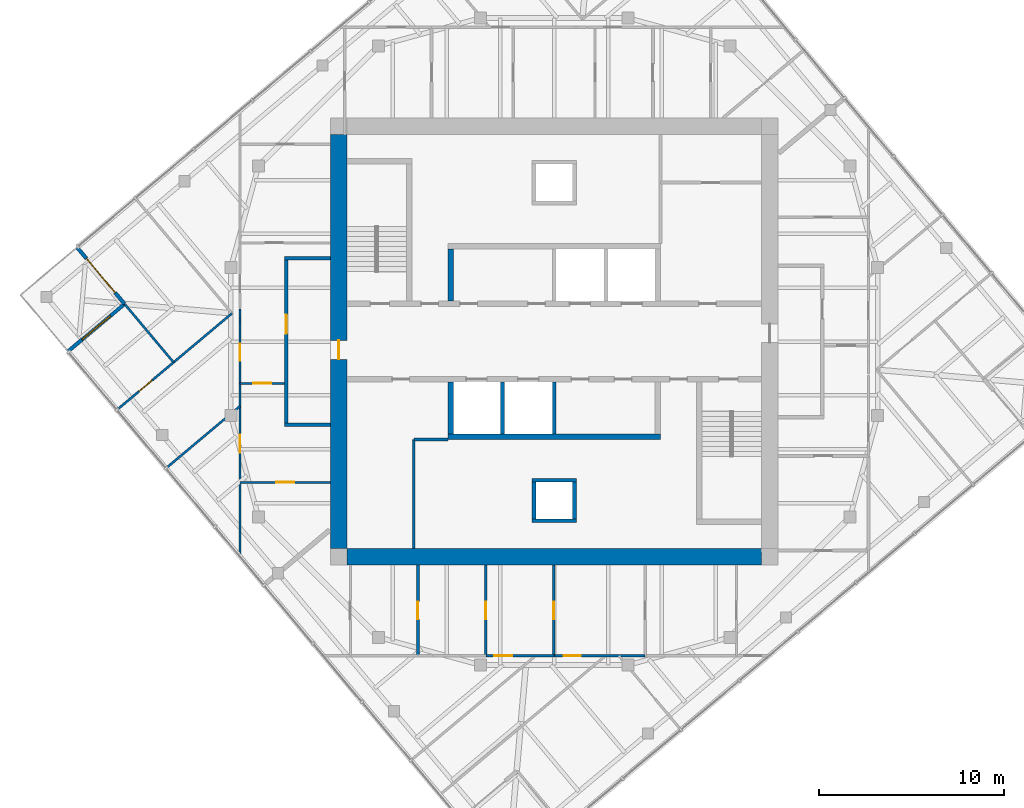
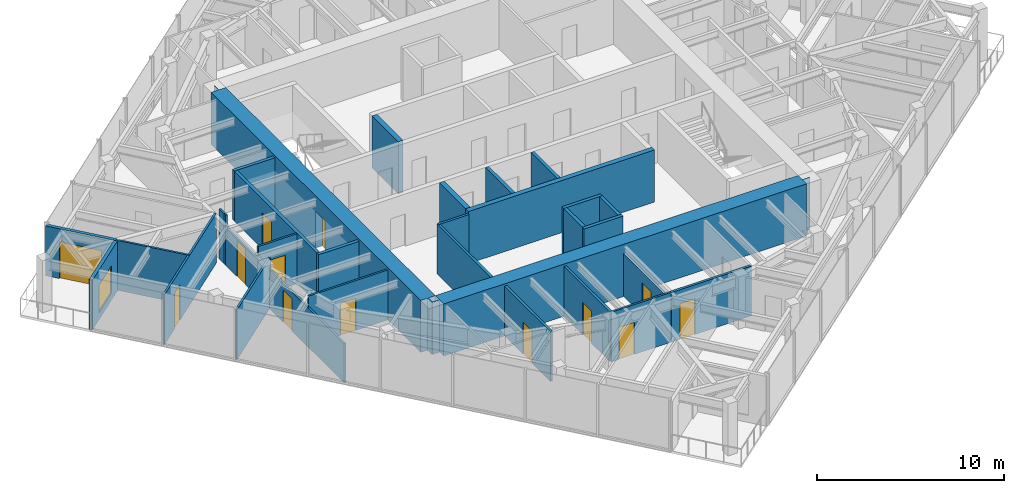
# One storey, part 7 of 11: 31 walls, 13 doors, 1 window, 14 openings.
"""IFC4 building model written with IfcOpenShell, lengths in metres."""

from ifc_helpers import new_model, si_unit, direction, frame, frame_2d, origin, place, context, subcontext, project, spatial, polyline, rectangle, outline, extrude, material, layer, layer_set, type_object, element, fill, save


model = new_model("IFC4")

# Units and contexts
model_context = context("Model", 3, precision=1e-05, world=origin(), true_north=direction((0.0, 1.0)))
body_context = subcontext(model_context, "Body", "Model", "MODEL_VIEW")
ifc_project = project(units=[si_unit("LENGTHUNIT", "METRE"), si_unit("AREAUNIT", "SQUARE_METRE"), si_unit("VOLUMEUNIT", "CUBIC_METRE"), si_unit("PLANEANGLEUNIT", "RADIAN"), si_unit("MASSUNIT", "GRAM", prefix="KILO")], contexts=[model_context])

# Site, building, storey
site_placement = place(None, origin())
site = spatial("IfcSite", under=ifc_project, at=site_placement, CompositionType="ELEMENT")
building_placement = place(site_placement, origin())
building = spatial("IfcBuilding", under=site, at=building_placement, Name="Torsade Residences", CompositionType="ELEMENT")
storey_placement = place(building_placement, frame((0.0, 0.0, 276.0)))
storey = spatial("IfcBuildingStorey", under=building, at=storey_placement, Name="L76", CompositionType="ELEMENT", Elevation=276.0)

# Walls
ifc_material_1 = material(Name="Concrete 80 MPa", Category="concrete")
ifc_layer_1 = layer(ifc_material_1, 0.300048828125)
ifc_layer_set_1 = layer_set([ifc_layer_1], Name="Concrete 80 MPa")
wall_type_1 = type_object("IfcWallType", Name="CORE INTERNAL WALL 300", PredefinedType="SHEAR", material=ifc_layer_set_1)
wall_1_placement = place(storey_placement, frame((45.75, 24.85009765625, 0.0), z_axis=(0.0, 0.0, 1.0), x_axis=(-1.0, 0.0, 0.0)))
element("IfcWall", 1, at=wall_1_placement, inside=storey, type_object=wall_type_1, Name="Core wall BS L76", PredefinedType="SHEAR", context=body_context, shape_type="SweptSolid", body=[
    extrude(rectangle(XDim=11.5, YDim=0.300048828125, at=frame_2d((5.75, 0.0))), origin(), (0.0, 0.0, 1.0), 3.39990234375),
])
for number, where, z_axis, x_axis, name in (
    (2, (34.39990234375, 32.199951171875, 0.0), (0.0, 0.0, 1.0), (0.0, 1.0, 0.0), "Core wall DN0 L76"),
    (3, (34.39990234375, 27.800048828125, 0.0), (0.0, 0.0, 1.0), (0.0, -1.0, 0.0), "Core wall DS4 L76"),
):
    element("IfcWall", number, at=place(storey_placement, frame(where, z_axis=z_axis, x_axis=x_axis)), inside=storey, type_object=wall_type_1, Name=name, PredefinedType="SHEAR", context=body_context, shape_type="SweptSolid", body=[
        extrude(rectangle(XDim=2.800048828125, YDim=0.300048828125, at=frame_2d((1.39990234375, 0.0))), origin(), (0.0, 0.0, 1.0), 3.39990234375),
    ])
ifc_material_2 = material(Name="Concrete 80 MPa", Category="concrete")
ifc_layer_2 = layer(ifc_material_2, 0.89990234375)
ifc_layer_set_2 = layer_set([ifc_layer_2], Name="Concrete 80 MPa")
wall_type_2 = type_object("IfcWallType", Name="CORE WALL 900", PredefinedType="SHEAR", material=ifc_layer_set_2)
wall_2_placement = place(storey_placement, frame((51.199951171875, 18.35009765625, 0.0), z_axis=(0.0, 0.0, 1.0), x_axis=(-1.0, 0.0, 0.0)))
element("IfcWall", 4, at=wall_2_placement, inside=storey, type_object=wall_type_2, Name="Core wall S L76", PredefinedType="SHEAR", context=body_context, shape_type="SweptSolid", body=[
    extrude(outline(polyline([(0.0, -0.449951171875), (22.39990234375, -0.449951171875), (22.39990234375, -0.02490234375), (22.849853515625, -0.02490234375), (22.849853515625, 0.02490234375), (22.39990234375, 0.02490234375), (22.39990234375, 0.449951171875), (0.0, 0.449951171875), (0.0, 0.02490234375), (-0.449951171875, 0.02490234375), (-0.449951171875, -0.02490234375), (0.0, -0.02490234375), (0.0, -0.449951171875)])), origin(), (0.0, 0.0, 1.0), 3.39990234375),
])

# Wall, opening, door
wall_3_placement = place(storey_placement, frame((28.35009765625, 41.199951171875, 0.0), z_axis=(0.0, 0.0, 1.0), x_axis=(0.0, -1.0, 0.0)))
wall_3 = element("IfcWall", 5, at=wall_3_placement, inside=storey, type_object=wall_type_2, Name="Core wall W L76", PredefinedType="SHEAR", context=body_context, shape_type="SweptSolid", body=[
    extrude(outline(polyline([(0.0, -0.449951171875), (22.39990234375, -0.449951171875), (22.39990234375, -0.02490234375), (22.849853515625, -0.02490234375), (22.849853515625, 0.02490234375), (22.39990234375, 0.02490234375), (22.39990234375, 0.449951171875), (0.0, 0.449951171875), (0.0, 0.02490234375), (-0.449951171875, 0.02490234375), (-0.449951171875, -0.02490234375), (0.0, -0.02490234375), (0.0, -0.449951171875)])), origin(), (0.0, 0.0, 1.0), 3.39990234375),
])
opening_1_placement = place(wall_3_placement, frame((11.139892578125, 0.0, 0.0)))
opening_1 = element("IfcOpeningElement", 6, at=opening_1_placement, cuts=wall_3, Name="Opening D04", PredefinedType="OPENING", context=body_context, shape_type="SweptSolid", body=[
    extrude(rectangle(XDim=1.02001953125, YDim=2.39990234375, at=frame_2d((0.510009765625, 1.199951171875))), frame((0.0, 0.4599609375, 0.0), z_axis=(0.0, -1.0, 0.0), x_axis=(1.0, 0.0, 0.0)), (0.0, 0.0, 1.0), 0.919921875),
])
ifc_material_3 = material(Name="Steel-framed fire door", Category="steel")
door_type_1 = type_object("IfcDoorType", Name="LOBBY SMOKE DOOR 1020x2400", OperationType="NOTDEFINED", PredefinedType="DOOR", material=ifc_material_3)
door_1_placement = place(opening_1_placement, origin())
door_1 = element("IfcDoor", 7, at=door_1_placement, inside=storey, type_object=door_type_1, Name="Lift lobby door W L76", OperationType="SINGLE_SWING_RIGHT", OverallHeight=2.39990234375, OverallWidth=1.02001953125, PredefinedType="DOOR", context=body_context, shape_type="SweptSolid", body=[
    extrude(rectangle(XDim=1.02001953125, YDim=2.39990234375, at=frame_2d((0.510009765625, 1.199951171875))), frame((0.0, 0.02490234375, 0.0), z_axis=(0.0, -1.0, 0.0), x_axis=(1.0, 0.0, 0.0)), (0.0, 0.0, 1.0), 0.050048828125),
])
fill(opening_1, door_1)

ifc_material_4 = material(Name="Plasterboard on steel stud", Category="steel")
ifc_layer_3 = layer(ifc_material_4, 0.199951171875)
ifc_layer_set_3 = layer_set([ifc_layer_3], Name="Plasterboard on steel stud")
wall_type_3 = type_object("IfcWallType", Name="CORRIDOR WALL 200", PredefinedType="PARTITIONING", material=ifc_layer_set_3)
wall_4_placement = place(storey_placement, frame((25.5, 25.5, 0.0), z_axis=(0.0, 0.0, 1.0), x_axis=(0.0, 1.0, 0.0)))
wall_4 = element("IfcWall", 8, at=wall_4_placement, inside=storey, type_object=wall_type_3, Name="Corridor wall L76", PredefinedType="PARTITIONING", context=body_context, shape_type="SweptSolid", body=[
    extrude(rectangle(XDim=9.0, YDim=0.199951171875, at=frame_2d((4.5, 0.0))), origin(), (0.0, 0.0, 1.0), 3.25),
])
opening_2_placement = place(wall_4_placement, frame((4.932861328125, 0.0, 0.0)))
opening_2 = element("IfcOpeningElement", 9, at=opening_2_placement, cuts=wall_4, Name="Opening D01", PredefinedType="OPENING", context=body_context, shape_type="SweptSolid", body=[
    extrude(rectangle(XDim=1.02001953125, YDim=2.340087890625, at=frame_2d((0.510009765625, 1.169921875))), frame((0.0, 0.10986328125, 0.0), z_axis=(0.0, -1.0, 0.0), x_axis=(1.0, 0.0, 0.0)), (0.0, 0.0, 1.0), 0.219970703125),
])
ifc_material_5 = material(Name="Solid-core timber fire door", Category="wood")
door_type_2 = type_object("IfcDoorType", Name="APARTMENT ENTRY DOOR 1020x2340", OperationType="NOTDEFINED", PredefinedType="DOOR", material=ifc_material_5)
door_2_placement = place(opening_2_placement, origin())
door_2 = element("IfcDoor", 10, at=door_2_placement, inside=storey, type_object=door_type_2, Name="Door Residential corridor to Kitchen and dining", OperationType="SINGLE_SWING_LEFT", OverallHeight=2.340087890625, OverallWidth=1.02001953125, PredefinedType="DOOR", context=body_context, shape_type="SweptSolid", body=[
    extrude(rectangle(XDim=1.02001953125, YDim=2.340087890625, at=frame_2d((0.510009765625, 1.169921875))), frame((0.0, 0.02490234375, 0.0), z_axis=(0.0, -1.0, 0.0), x_axis=(1.0, 0.0, 0.0)), (0.0, 0.0, 1.0), 0.050048828125),
])
fill(opening_2, door_2)

# Walls
for number, where, z_axis, x_axis, name in (
    (11, (27.89990234375, 34.5, 0.0), (0.0, 0.0, 1.0), (-1.0, 0.0, 0.0), "Corridor wall L76"),
    (12, (27.89990234375, 25.5, 0.0), (0.0, 0.0, 1.0), (-1.0, 0.0, 0.0), "Corridor wall L76"),
):
    element("IfcWall", number, at=place(storey_placement, frame(where, z_axis=z_axis, x_axis=x_axis)), inside=storey, type_object=wall_type_3, Name=name, PredefinedType="PARTITIONING", context=body_context, shape_type="SweptSolid", body=[
        extrude(rectangle(XDim=2.5, YDim=0.199951171875, at=frame_2d((1.25, 0.0))), origin(), (0.0, 0.0, 1.0), 3.25),
    ])
ifc_material_6 = material(Name="Reinforced blockwork", Category="masonry")
ifc_layer_4 = layer(ifc_material_6, 0.199951171875)
ifc_layer_set_4 = layer_set([ifc_layer_4], Name="Reinforced blockwork")
wall_type_4 = type_object("IfcWallType", Name="LIFT SHAFT DIVIDING WALL 200", PredefinedType="SOLIDWALL", material=ifc_layer_set_4)
for number, where, z_axis, x_axis, name in (
    (13, (40.0, 27.800048828125, 0.0), (0.0, 0.0, 1.0), (0.0, -1.0, 0.0), "Core wall DS2 L76"),
    (14, (37.199951171875, 27.800048828125, 0.0), (0.0, 0.0, 1.0), (0.0, -1.0, 0.0), "Core wall DS3 L76"),
):
    element("IfcWall", number, at=place(storey_placement, frame(where, z_axis=z_axis, x_axis=x_axis)), inside=storey, type_object=wall_type_4, Name=name, PredefinedType="SOLIDWALL", context=body_context, shape_type="SweptSolid", body=[
        extrude(rectangle(XDim=2.800048828125, YDim=0.199951171875, at=frame_2d((1.39990234375, 0.0))), origin(), (0.0, 0.0, 1.0), 3.39990234375),
    ])

# Wall, opening, door
ifc_material_7 = material(Name="Plasterboard on steel stud", Category="steel")
ifc_layer_5 = layer(ifc_material_7, 0.1201171875)
ifc_layer_set_5 = layer_set([ifc_layer_5], Name="Plasterboard on steel stud")
wall_type_5 = type_object("IfcWallType", Name="PARTITION 120", PredefinedType="PARTITIONING", material=ifc_layer_set_5)
wall_5_placement = place(storey_placement, frame((39.976318359375, 13.0, 0.0), z_axis=(0.0, 0.0, 1.0), x_axis=(-1.0, 0.0, 0.0)))
wall_5 = element("IfcWall", 15, at=wall_5_placement, inside=storey, type_object=wall_type_5, Name="Partition L76", PredefinedType="PARTITIONING", context=body_context, shape_type="SweptSolid", body=[
    extrude(rectangle(XDim=3.67578125, YDim=0.1201171875, at=frame_2d((1.837890625, 0.0))), origin(), (0.0, 0.0, 1.0), 3.25),
])
opening_3_placement = place(wall_5_placement, frame((2.2607421875, 0.0, 0.0)))
opening_3 = element("IfcOpeningElement", 16, at=opening_3_placement, cuts=wall_5, Name="Opening D05", PredefinedType="OPENING", context=body_context, shape_type="SweptSolid", body=[
    extrude(rectangle(XDim=0.9599609375, YDim=2.10009765625, at=frame_2d((0.47998046875, 1.050048828125))), frame((0.0, 0.070068359375, 0.0), z_axis=(0.0, -1.0, 0.0), x_axis=(1.0, 0.0, 0.0)), (0.0, 0.0, 1.0), 0.14013671875),
])
ifc_material_8 = material(Name="Hollow-core timber door in a steel cavity frame", Category="steel")
door_type_3 = type_object("IfcDoorType", Name="BATHROOM CAVITY SLIDING DOOR 960", OperationType="SLIDING_TO_LEFT", PredefinedType="DOOR", material=ifc_material_8)
door_3_placement = place(opening_3_placement, origin())
door_3 = element("IfcDoor", 17, at=door_3_placement, inside=storey, type_object=door_type_3, Name="Door WC to Bedroom 2", OperationType="SLIDING_TO_LEFT", OverallHeight=2.10009765625, OverallWidth=0.9599609375, PredefinedType="DOOR", context=body_context, shape_type="SweptSolid", body=[
    extrude(rectangle(XDim=0.9599609375, YDim=2.10009765625, at=frame_2d((0.47998046875, 1.050048828125))), frame((0.0, 0.02490234375, 0.0), z_axis=(0.0, -1.0, 0.0), x_axis=(1.0, 0.0, 0.0)), (0.0, 0.0, 1.0), 0.050048828125),
])
fill(opening_3, door_3)

wall_6_placement = place(storey_placement, frame((25.39990234375, 27.735595703125, 0.0), z_axis=(0.0, 0.0, 1.0), x_axis=(-1.0, 0.0, 0.0)))
wall_6 = element("IfcWall", 18, at=wall_6_placement, inside=storey, type_object=wall_type_5, Name="Partition L76", PredefinedType="PARTITIONING", context=body_context, shape_type="SweptSolid", body=[
    extrude(rectangle(XDim=2.39990234375, YDim=0.1201171875, at=frame_2d((1.199951171875, 0.0))), origin(), (0.0, 0.0, 1.0), 3.25),
])
opening_4_placement = place(wall_6_placement, frame((0.719970703125, 0.0, 0.0)))
opening_4 = element("IfcOpeningElement", 19, at=opening_4_placement, cuts=wall_6, Name="Opening D05", PredefinedType="OPENING", context=body_context, shape_type="SweptSolid", body=[
    extrude(rectangle(XDim=0.9599609375, YDim=2.10009765625, at=frame_2d((0.47998046875, 1.050048828125))), frame((0.0, 0.070068359375, 0.0), z_axis=(0.0, -1.0, 0.0), x_axis=(1.0, 0.0, 0.0)), (0.0, 0.0, 1.0), 0.14013671875),
])
door_4_placement = place(opening_4_placement, origin())
door_4 = element("IfcDoor", 20, at=door_4_placement, inside=storey, type_object=door_type_3, Name="Door Kitchen and dining to Bathroom", OperationType="SLIDING_TO_LEFT", OverallHeight=2.10009765625, OverallWidth=0.9599609375, PredefinedType="DOOR", context=body_context, shape_type="SweptSolid", body=[
    extrude(rectangle(XDim=0.9599609375, YDim=2.10009765625, at=frame_2d((0.47998046875, 1.050048828125))), frame((0.0, 0.02490234375, 0.0), z_axis=(0.0, -1.0, 0.0), x_axis=(1.0, 0.0, 0.0)), (0.0, 0.0, 1.0), 0.050048828125),
])
fill(opening_4, door_4)

# Wall
wall_7_placement = place(storey_placement, frame((23.0, 31.257568359375, 0.0), z_axis=(0.0, 0.0, 1.0), x_axis=(0.0, 1.0, 0.0)))
element("IfcWall", 21, at=wall_7_placement, inside=storey, type_object=wall_type_5, Name="Partition L76", PredefinedType="PARTITIONING", context=body_context, shape_type="SweptSolid", body=[
    extrude(rectangle(XDim=0.503662109375, YDim=0.1201171875, at=frame_2d((0.251953125, 0.0))), origin(), (0.0, 0.0, 1.0), 3.25),
])

# Wall, openings, doors
wall_8_placement = place(storey_placement, frame((23.0, 18.4296875, 0.0), z_axis=(0.0, 0.0, 1.0), x_axis=(0.0, 1.0, 0.0)))
wall_8 = element("IfcWall", 22, at=wall_8_placement, inside=storey, type_object=wall_type_5, Name="Partition L76", PredefinedType="PARTITIONING", context=body_context, shape_type="SweptSolid", body=[
    extrude(rectangle(XDim=12.65576171875, YDim=0.1201171875, at=frame_2d((6.327880859375, 0.0))), origin(), (0.0, 0.0, 1.0), 2.549072265625),
])
opening_5_placement = place(wall_8_placement, frame((10.520751953125, 0.0, 0.0)))
opening_5 = element("IfcOpeningElement", 23, at=opening_5_placement, cuts=wall_8, Name="Opening D02", PredefinedType="OPENING", context=body_context, shape_type="SweptSolid", body=[
    extrude(rectangle(XDim=0.919921875, YDim=2.340087890625, at=frame_2d((0.4599609375, 1.169921875))), frame((0.0, 0.070068359375, 0.0), z_axis=(0.0, -1.0, 0.0), x_axis=(1.0, 0.0, 0.0)), (0.0, 0.0, 1.0), 0.14013671875),
])
opening_6_placement = place(wall_8_placement, frame((5.5654296875, 0.0, 0.0)))
opening_6 = element("IfcOpeningElement", 24, at=opening_6_placement, cuts=wall_8, Name="Opening D05", PredefinedType="OPENING", context=body_context, shape_type="SweptSolid", body=[
    extrude(rectangle(XDim=0.9599609375, YDim=2.10009765625, at=frame_2d((0.47998046875, 1.050048828125))), frame((0.0, 0.070068359375, 0.0), z_axis=(0.0, -1.0, 0.0), x_axis=(1.0, 0.0, 0.0)), (0.0, 0.0, 1.0), 0.14013671875),
])
door_5_placement = place(opening_6_placement, origin())
door_5 = element("IfcDoor", 25, at=door_5_placement, inside=storey, type_object=door_type_3, Name="Door Bathroom to Media room", OperationType="SLIDING_TO_LEFT", OverallHeight=2.10009765625, OverallWidth=0.9599609375, PredefinedType="DOOR", context=body_context, shape_type="SweptSolid", body=[
    extrude(rectangle(XDim=0.9599609375, YDim=2.10009765625, at=frame_2d((0.47998046875, 1.050048828125))), frame((0.0, 0.02490234375, 0.0), z_axis=(0.0, -1.0, 0.0), x_axis=(1.0, 0.0, 0.0)), (0.0, 0.0, 1.0), 0.050048828125),
])
fill(opening_6, door_5)
ifc_material_9 = material(Name="Hollow-core timber door", Category="wood")
door_type_4 = type_object("IfcDoorType", Name="INTERNAL DOOR 920x2340", OperationType="NOTDEFINED", PredefinedType="DOOR", material=ifc_material_9)
door_6_placement = place(opening_5_placement, origin())
door_6 = element("IfcDoor", 26, at=door_6_placement, inside=storey, type_object=door_type_4, Name="Door Kitchen and dining to Bedroom 5", OperationType="SINGLE_SWING_LEFT", OverallHeight=2.340087890625, OverallWidth=0.919921875, PredefinedType="DOOR", context=body_context, shape_type="SweptSolid", body=[
    extrude(rectangle(XDim=0.919921875, YDim=2.340087890625, at=frame_2d((0.4599609375, 1.169921875))), frame((0.0, 0.02490234375, 0.0), z_axis=(0.0, -1.0, 0.0), x_axis=(1.0, 0.0, 0.0)), (0.0, 0.0, 1.0), 0.050048828125),
])
fill(opening_5, door_6)

# Wall, opening, door
wall_9_placement = place(storey_placement, frame((27.89990234375, 22.3798828125, 0.0), z_axis=(0.0, 0.0, 1.0), x_axis=(-1.0, 0.0, 0.0)))
wall_9 = element("IfcWall", 27, at=wall_9_placement, inside=storey, type_object=wall_type_5, Name="Partition L76", PredefinedType="PARTITIONING", context=body_context, shape_type="SweptSolid", body=[
    extrude(rectangle(XDim=4.89990234375, YDim=0.1201171875, at=frame_2d((2.449951171875, 0.0))), origin(), (0.0, 0.0, 1.0), 3.25),
])
opening_7_placement = place(wall_9_placement, frame((1.969970703125, 0.0, 0.0)))
opening_7 = element("IfcOpeningElement", 28, at=opening_7_placement, cuts=wall_9, Name="Opening D05", PredefinedType="OPENING", context=body_context, shape_type="SweptSolid", body=[
    extrude(rectangle(XDim=0.9599609375, YDim=2.10009765625, at=frame_2d((0.47998046875, 1.050048828125))), frame((0.0, 0.070068359375, 0.0), z_axis=(0.0, -1.0, 0.0), x_axis=(1.0, 0.0, 0.0)), (0.0, 0.0, 1.0), 0.14013671875),
])
door_7_placement = place(opening_7_placement, origin())
door_7 = element("IfcDoor", 29, at=door_7_placement, inside=storey, type_object=door_type_3, Name="Door Bathroom to Dressing room", OperationType="SLIDING_TO_LEFT", OverallHeight=2.10009765625, OverallWidth=0.9599609375, PredefinedType="DOOR", context=body_context, shape_type="SweptSolid", body=[
    extrude(rectangle(XDim=0.9599609375, YDim=2.10009765625, at=frame_2d((0.47998046875, 1.050048828125))), frame((0.0, 0.02490234375, 0.0), z_axis=(0.0, -1.0, 0.0), x_axis=(1.0, 0.0, 0.0)), (0.0, 0.0, 1.0), 0.050048828125),
])
fill(opening_7, door_7)

wall_10_placement = place(storey_placement, frame((22.565673828125, 31.525390625, 0.0), z_axis=(0.0, 0.0, 1.0), x_axis=(-0.766033729027, -0.642800378028, 0.0)))
wall_10 = element("IfcWall", 30, at=wall_10_placement, inside=storey, type_object=wall_type_5, Name="Partition L76", PredefinedType="PARTITIONING", context=body_context, shape_type="SweptSolid", body=[
    extrude(rectangle(XDim=8.0849609375, YDim=0.1201171875, at=frame_2d((4.04248046875, 0.0))), origin(), (0.0, 0.0, 1.0), 3.25),
])
opening_8_placement = place(wall_10_placement, frame((5.639892578125, 0.0, 0.0)))
opening_8 = element("IfcOpeningElement", 31, at=opening_8_placement, cuts=wall_10, Name="Opening D02", PredefinedType="OPENING", context=body_context, shape_type="SweptSolid", body=[
    extrude(rectangle(XDim=0.919921875, YDim=2.340087890625, at=frame_2d((0.4599609375, 1.169921875))), frame((0.0, 0.070068359375, 0.0), z_axis=(0.0, -1.0, 0.0), x_axis=(1.0, 0.0, 0.0)), (0.0, 0.0, 1.0), 0.14013671875),
])
door_8_placement = place(opening_8_placement, origin())
door_8 = element("IfcDoor", 32, at=door_8_placement, inside=storey, type_object=door_type_4, Name="Door Bedroom 5 to Study 2", OperationType="SINGLE_SWING_LEFT", OverallHeight=2.340087890625, OverallWidth=0.919921875, PredefinedType="DOOR", context=body_context, shape_type="SweptSolid", body=[
    extrude(rectangle(XDim=0.919921875, YDim=2.340087890625, at=frame_2d((0.4599609375, 1.169921875))), frame((0.0, 0.02490234375, 0.0), z_axis=(0.0, -1.0, 0.0), x_axis=(1.0, 0.0, 0.0)), (0.0, 0.0, 1.0), 0.050048828125),
])
fill(opening_8, door_8)

# Walls
wall_11_placement = place(storey_placement, frame((19.40576171875, 28.873779296875, 0.0), z_axis=(0.0, 0.0, 1.0), x_axis=(-0.642767300664, 0.766061483953, 0.0)))
element("IfcWall", 33, at=wall_11_placement, inside=storey, type_object=wall_type_5, Name="Partition L76", PredefinedType="PARTITIONING", context=body_context, shape_type="SweptSolid", body=[
    extrude(rectangle(XDim=4.0849609375, YDim=0.1201171875, at=frame_2d((2.04248046875, 0.0))), origin(), (0.0, 0.0, 1.0), 3.25),
])
wall_12_placement = place(storey_placement, frame((23.0, 26.5048828125, 0.0), z_axis=(0.0, 0.0, 1.0), x_axis=(-0.76605407051, -0.642776136034, 0.0)))
element("IfcWall", 34, at=wall_12_placement, inside=storey, type_object=wall_type_5, Name="Partition L76", PredefinedType="PARTITIONING", context=body_context, shape_type="SweptSolid", body=[
    extrude(rectangle(XDim=5.190673828125, YDim=0.1201171875, at=frame_2d((2.59521484375, 0.0))), origin(), (0.0, 0.0, 1.0), 3.25),
])
wall_13_placement = place(storey_placement, frame((23.0, 31.257568359375, 0.0), z_axis=(0.0, 0.0, 1.0), x_axis=(0.0, -1.0, 0.0)))
element("IfcWall", 35, at=wall_13_placement, inside=storey, type_object=wall_type_5, Name="Partition L76", PredefinedType="PARTITIONING", context=body_context, shape_type="SweptSolid", body=[
    extrude(rectangle(XDim=0.172119140625, YDim=0.1201171875, at=frame_2d((0.0859375, 0.0))), origin(), (0.0, 0.0, 1.0), 3.25),
])
ifc_material_10 = material(Name="Reinforced blockwork", Category="masonry")
ifc_layer_6 = layer(ifc_material_10, 0.199951171875)
ifc_layer_set_6 = layer_set([ifc_layer_6], Name="Reinforced blockwork")
wall_type_6 = type_object("IfcWallType", Name="RISER SHAFT WALL 200", PredefinedType="SOLIDWALL", material=ifc_layer_set_6)
for number, where, z_axis, x_axis, name in (
    (36, (38.89990234375, 22.39990234375, 0.0), (0.0, 0.0, 1.0), (0.0, -1.0, 0.0), "Core wall RS2a L76"),
    (37, (41.10009765625, 22.39990234375, 0.0), (0.0, 0.0, 1.0), (0.0, -1.0, 0.0), "Core wall RS2b L76"),
):
    element("IfcWall", number, at=place(storey_placement, frame(where, z_axis=z_axis, x_axis=x_axis)), inside=storey, type_object=wall_type_6, Name=name, PredefinedType="SOLIDWALL", context=body_context, shape_type="SweptSolid", body=[
        extrude(rectangle(XDim=2.0, YDim=0.199951171875, at=frame_2d((1.0, 0.0))), origin(), (0.0, 0.0, 1.0), 3.39990234375),
    ])
for number, where, z_axis, x_axis, name in (
    (38, (38.800048828125, 22.5, 0.0), (0.0, 0.0, 1.0), (1.0, 0.0, 0.0), "Core wall RS2c L76"),
    (39, (38.800048828125, 20.300048828125, 0.0), (0.0, 0.0, 1.0), (1.0, 0.0, 0.0), "Core wall RS2d L76"),
):
    element("IfcWall", number, at=place(storey_placement, frame(where, z_axis=z_axis, x_axis=x_axis)), inside=storey, type_object=wall_type_6, Name=name, PredefinedType="SOLIDWALL", context=body_context, shape_type="SweptSolid", body=[
        extrude(rectangle(XDim=2.39990234375, YDim=0.199951171875, at=frame_2d((1.199951171875, 0.0))), origin(), (0.0, 0.0, 1.0), 3.39990234375),
    ])
ifc_material_11 = material(Name="Reinforced blockwork", Category="masonry")
ifc_layer_7 = layer(ifc_material_11, 0.14990234375)
ifc_layer_set_7 = layer_set([ifc_layer_7], Name="Reinforced blockwork")
wall_type_7 = type_object("IfcWallType", Name="SERVICE ROOM WALL 150", PredefinedType="SOLIDWALL", material=ifc_layer_set_7)
wall_14_placement = place(storey_placement, frame((32.39990234375, 18.800048828125, 0.0), z_axis=(0.0, 0.0, 1.0), x_axis=(0.0, 1.0, 0.0)))
element("IfcWall", 40, at=wall_14_placement, inside=storey, type_object=wall_type_7, Name="Service room wall L76", PredefinedType="SOLIDWALL", context=body_context, shape_type="SweptSolid", body=[
    extrude(rectangle(XDim=5.89990234375, YDim=0.14990234375, at=frame_2d((2.949951171875, 0.0))), origin(), (0.0, 0.0, 1.0), 3.25),
])
wall_15_placement = place(storey_placement, frame((32.39990234375, 24.699951171875, 0.0), z_axis=(0.0, 0.0, 1.0), x_axis=(1.0, 0.0, 0.0)))
element("IfcWall", 41, at=wall_15_placement, inside=storey, type_object=wall_type_7, Name="Service room wall L76", PredefinedType="SOLIDWALL", context=body_context, shape_type="SweptSolid", body=[
    extrude(rectangle(XDim=1.85009765625, YDim=0.14990234375, at=frame_2d((0.925048828125, 0.0))), origin(), (0.0, 0.0, 1.0), 3.25),
])

# Wall, opening, door
wall_16_placement = place(storey_placement, frame((32.625, 17.89990234375, 0.0), z_axis=(0.0, 0.0, 1.0), x_axis=(0.0, -1.0, 0.0)))
wall_16 = element("IfcWall", 42, at=wall_16_placement, inside=storey, type_object=wall_type_7, Name="Service room wall L76", PredefinedType="SOLIDWALL", context=body_context, shape_type="SweptSolid", body=[
    extrude(rectangle(XDim=4.89990234375, YDim=0.14990234375, at=frame_2d((2.449951171875, 0.0))), origin(), (0.0, 0.0, 1.0), 3.25),
])
opening_9_placement = place(wall_16_placement, frame((1.969970703125, 0.0, 0.0)))
opening_9 = element("IfcOpeningElement", 43, at=opening_9_placement, cuts=wall_16, Name="Opening D05", PredefinedType="OPENING", context=body_context, shape_type="SweptSolid", body=[
    extrude(rectangle(XDim=0.9599609375, YDim=2.10009765625, at=frame_2d((0.47998046875, 1.050048828125))), frame((0.0, 0.0849609375, 0.0), z_axis=(0.0, -1.0, 0.0), x_axis=(1.0, 0.0, 0.0)), (0.0, 0.0, 1.0), 0.169921875),
])
door_9_placement = place(opening_9_placement, origin())
door_9 = element("IfcDoor", 44, at=door_9_placement, inside=storey, type_object=door_type_3, Name="Door Linen store to Ensuite", OperationType="SLIDING_TO_LEFT", OverallHeight=2.10009765625, OverallWidth=0.9599609375, PredefinedType="DOOR", context=body_context, shape_type="SweptSolid", body=[
    extrude(rectangle(XDim=0.9599609375, YDim=2.10009765625, at=frame_2d((0.47998046875, 1.050048828125))), frame((0.0, 0.02490234375, 0.0), z_axis=(0.0, -1.0, 0.0), x_axis=(1.0, 0.0, 0.0)), (0.0, 0.0, 1.0), 0.050048828125),
])
fill(opening_9, door_9)

wall_17_placement = place(storey_placement, frame((36.300537109375, 13.0, 0.0), z_axis=(0.0, 0.0, 1.0), x_axis=(0.0, 1.0, 0.0)))
wall_17 = element("IfcWall", 45, at=wall_17_placement, inside=storey, type_object=wall_type_7, Name="Service room wall L76", PredefinedType="SOLIDWALL", context=body_context, shape_type="SweptSolid", body=[
    extrude(rectangle(XDim=4.89990234375, YDim=0.14990234375, at=frame_2d((2.449951171875, 0.0))), origin(), (0.0, 0.0, 1.0), 3.25),
])
opening_10_placement = place(wall_17_placement, frame((1.969970703125, 0.0, 0.0)))
opening_10 = element("IfcOpeningElement", 46, at=opening_10_placement, cuts=wall_17, Name="Opening D05", PredefinedType="OPENING", context=body_context, shape_type="SweptSolid", body=[
    extrude(rectangle(XDim=0.9599609375, YDim=2.10009765625, at=frame_2d((0.47998046875, 1.050048828125))), frame((0.0, 0.0849609375, 0.0), z_axis=(0.0, -1.0, 0.0), x_axis=(1.0, 0.0, 0.0)), (0.0, 0.0, 1.0), 0.169921875),
])
door_10_placement = place(opening_10_placement, origin())
door_10 = element("IfcDoor", 47, at=door_10_placement, inside=storey, type_object=door_type_3, Name="Door WC to Linen store", OperationType="SLIDING_TO_LEFT", OverallHeight=2.10009765625, OverallWidth=0.9599609375, PredefinedType="DOOR", context=body_context, shape_type="SweptSolid", body=[
    extrude(rectangle(XDim=0.9599609375, YDim=2.10009765625, at=frame_2d((0.47998046875, 1.050048828125))), frame((0.0, 0.02490234375, 0.0), z_axis=(0.0, -1.0, 0.0), x_axis=(1.0, 0.0, 0.0)), (0.0, 0.0, 1.0), 0.050048828125),
])
fill(opening_10, door_10)

wall_18_placement = place(storey_placement, frame((39.976318359375, 17.89990234375, 0.0), z_axis=(0.0, 0.0, 1.0), x_axis=(0.0, -1.0, 0.0)))
wall_18 = element("IfcWall", 48, at=wall_18_placement, inside=storey, type_object=wall_type_7, Name="Service room wall L76", PredefinedType="SOLIDWALL", context=body_context, shape_type="SweptSolid", body=[
    extrude(rectangle(XDim=4.89990234375, YDim=0.14990234375, at=frame_2d((2.449951171875, 0.0))), origin(), (0.0, 0.0, 1.0), 2.7958984375),
])
opening_11_placement = place(wall_18_placement, frame((1.969970703125, 0.0, 0.0)))
opening_11 = element("IfcOpeningElement", 49, at=opening_11_placement, cuts=wall_18, Name="Opening D05", PredefinedType="OPENING", context=body_context, shape_type="SweptSolid", body=[
    extrude(rectangle(XDim=0.9599609375, YDim=2.10009765625, at=frame_2d((0.47998046875, 1.050048828125))), frame((0.0, 0.0849609375, 0.0), z_axis=(0.0, -1.0, 0.0), x_axis=(1.0, 0.0, 0.0)), (0.0, 0.0, 1.0), 0.169921875),
])
door_11_placement = place(opening_11_placement, origin())
door_11 = element("IfcDoor", 50, at=door_11_placement, inside=storey, type_object=door_type_3, Name="Door Linen store 2 to WC", OperationType="SLIDING_TO_LEFT", OverallHeight=2.10009765625, OverallWidth=0.9599609375, PredefinedType="DOOR", context=body_context, shape_type="SweptSolid", body=[
    extrude(rectangle(XDim=0.9599609375, YDim=2.10009765625, at=frame_2d((0.47998046875, 1.050048828125))), frame((0.0, 0.02490234375, 0.0), z_axis=(0.0, -1.0, 0.0), x_axis=(1.0, 0.0, 0.0)), (0.0, 0.0, 1.0), 0.050048828125),
])
fill(opening_11, door_11)

wall_19_placement = place(storey_placement, frame((44.91796875, 13.0, 0.0), z_axis=(0.0, 0.0, 1.0), x_axis=(-1.0, 0.0, 0.0)))
wall_19 = element("IfcWall", 51, at=wall_19_placement, inside=storey, type_object=wall_type_7, Name="Service room wall L76", PredefinedType="SOLIDWALL", context=body_context, shape_type="SweptSolid", body=[
    extrude(rectangle(XDim=4.941650390625, YDim=0.14990234375, at=frame_2d((2.470703125, 0.0))), origin(), (0.0, 0.0, 1.0), 3.25),
])
opening_12_placement = place(wall_19_placement, frame((3.493896484375, 0.0, 0.0)))
opening_12 = element("IfcOpeningElement", 52, at=opening_12_placement, cuts=wall_19, Name="Opening D02", PredefinedType="OPENING", context=body_context, shape_type="SweptSolid", body=[
    extrude(rectangle(XDim=0.919921875, YDim=2.340087890625, at=frame_2d((0.4599609375, 1.169921875))), frame((0.0, 0.0849609375, 0.0), z_axis=(0.0, -1.0, 0.0), x_axis=(1.0, 0.0, 0.0)), (0.0, 0.0, 1.0), 0.169921875),
])
door_12_placement = place(opening_12_placement, origin())
door_12 = element("IfcDoor", 53, at=door_12_placement, inside=storey, type_object=door_type_4, Name="Door Linen store 2 to Bedroom 5", OperationType="SINGLE_SWING_LEFT", OverallHeight=2.340087890625, OverallWidth=0.919921875, PredefinedType="DOOR", context=body_context, shape_type="SweptSolid", body=[
    extrude(rectangle(XDim=0.919921875, YDim=2.340087890625, at=frame_2d((0.4599609375, 1.169921875))), frame((0.0, 0.02490234375, 0.0), z_axis=(0.0, -1.0, 0.0), x_axis=(1.0, 0.0, 0.0)), (0.0, 0.0, 1.0), 0.050048828125),
])
fill(opening_12, door_12)

ifc_material_12 = material(Name="Stone-faced precast concrete 40 MPa panel", Category="masonry")
ifc_layer_8 = layer(ifc_material_12, 0.199951171875)
ifc_layer_set_8 = layer_set([ifc_layer_8], Name="Stone-faced precast concrete 40 MPa panel")
wall_type_8 = type_object("IfcWallType", Name="TERRACE WALL 200", PredefinedType="SOLIDWALL", material=ifc_layer_set_8)
wall_20_placement = place(storey_placement, frame((14.18310546875, 35.097900390625, 0.0), z_axis=(0.0, 0.0, 1.0), x_axis=(0.642768287094, -0.766060656284, 0.0)))
wall_20 = element("IfcWall", 54, at=wall_20_placement, inside=storey, type_object=wall_type_8, Name="Terrace wall L76 8", PredefinedType="SOLIDWALL", context=body_context, shape_type="SweptSolid", body=[
    extrude(rectangle(XDim=4.0, YDim=0.199951171875, at=frame_2d((2.0, 0.0))), origin(), (0.0, 0.0, 1.0), 3.25),
])
opening_13_placement = place(wall_20_placement, frame((0.800048828125, 0.0, 0.0)))
opening_13 = element("IfcOpeningElement", 55, at=opening_13_placement, cuts=wall_20, Name="Opening D10", PredefinedType="OPENING", context=body_context, shape_type="SweptSolid", body=[
    extrude(rectangle(XDim=2.39990234375, YDim=2.39990234375, at=frame_2d((1.199951171875, 1.199951171875))), frame((0.0, 0.10986328125, 0.0), z_axis=(0.0, -1.0, 0.0), x_axis=(1.0, 0.0, 0.0)), (0.0, 0.0, 1.0), 0.219970703125),
])
ifc_material_13 = material(Name="Aluminium-framed glass door", Category="aluminium")
door_type_5 = type_object("IfcDoorType", Name="TERRACE SLIDING DOOR 2400", OperationType="SLIDING_TO_LEFT", PredefinedType="DOOR", material=ifc_material_13)
door_13_placement = place(opening_13_placement, origin())
door_13 = element("IfcDoor", 56, at=door_13_placement, inside=storey, type_object=door_type_5, Name="Terrace door L76 8", OperationType="SLIDING_TO_LEFT", OverallHeight=2.39990234375, OverallWidth=2.39990234375, PredefinedType="DOOR", context=body_context, shape_type="SweptSolid", body=[
    extrude(rectangle(XDim=2.39990234375, YDim=2.39990234375, at=frame_2d((1.199951171875, 1.199951171875))), frame((0.0, 0.02490234375, 0.0), z_axis=(0.0, -1.0, 0.0), x_axis=(1.0, 0.0, 0.0)), (0.0, 0.0, 1.0), 0.050048828125),
])
fill(opening_13, door_13)

# Wall, opening, window
wall_21_placement = place(storey_placement, frame((16.754150390625, 32.03369140625, 0.0), z_axis=(0.0, 0.0, 1.0), x_axis=(-0.766035437498, -0.642798342015, 0.0)))
wall_21 = element("IfcWall", 57, at=wall_21_placement, inside=storey, type_object=wall_type_8, Name="Terrace wall L76 9", PredefinedType="SOLIDWALL", context=body_context, shape_type="SweptSolid", body=[
    extrude(rectangle(XDim=3.999755859375, YDim=0.199951171875, at=frame_2d((2.0, 0.0))), origin(), (0.0, 0.0, 1.0), 3.25),
])
opening_14_placement = place(wall_21_placement, frame((1.0, 0.0, 0.449951171875)))
opening_14 = element("IfcOpeningElement", 58, at=opening_14_placement, cuts=wall_21, Name="Opening W1B", PredefinedType="OPENING", context=body_context, shape_type="SweptSolid", body=[
    extrude(rectangle(XDim=2.0, YDim=1.800048828125, at=frame_2d((1.0, 0.89990234375))), frame((0.0, 0.10986328125, 0.0), z_axis=(0.0, -1.0, 0.0), x_axis=(1.0, 0.0, 0.0)), (0.0, 0.0, 1.0), 0.219970703125),
])
ifc_material_14 = material(Name="Aluminium-framed glass window", Category="aluminium")
window_type = type_object("IfcWindowType", Name="TERRACE WINDOW 2000x1800", PartitioningType="SINGLE_PANEL", PredefinedType="WINDOW", material=ifc_material_14)
window_placement = place(opening_14_placement, origin())
window = element("IfcWindow", 59, at=window_placement, inside=storey, type_object=window_type, Name="Terrace window L76 9", OverallHeight=1.800048828125, OverallWidth=2.0, PartitioningType="SINGLE_PANEL", PredefinedType="WINDOW", context=body_context, shape_type="SweptSolid", body=[
    extrude(rectangle(XDim=2.0, YDim=1.800048828125, at=frame_2d((1.0, 0.89990234375))), frame((0.0, 0.030029296875, 0.0), z_axis=(0.0, -1.0, 0.0), x_axis=(1.0, 0.0, 0.0)), (0.0, 0.0, 1.0), 0.06005859375),
])
fill(opening_14, window)

save(model, "model.ifc")
